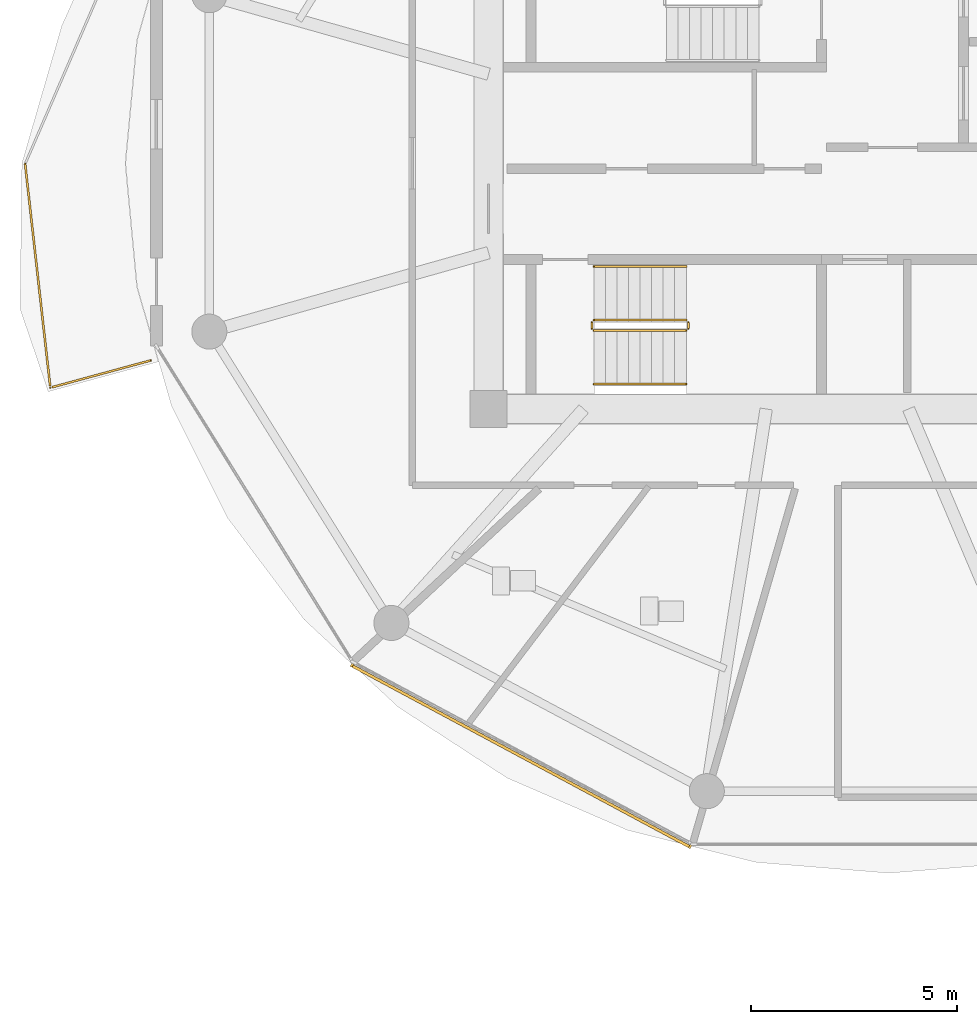
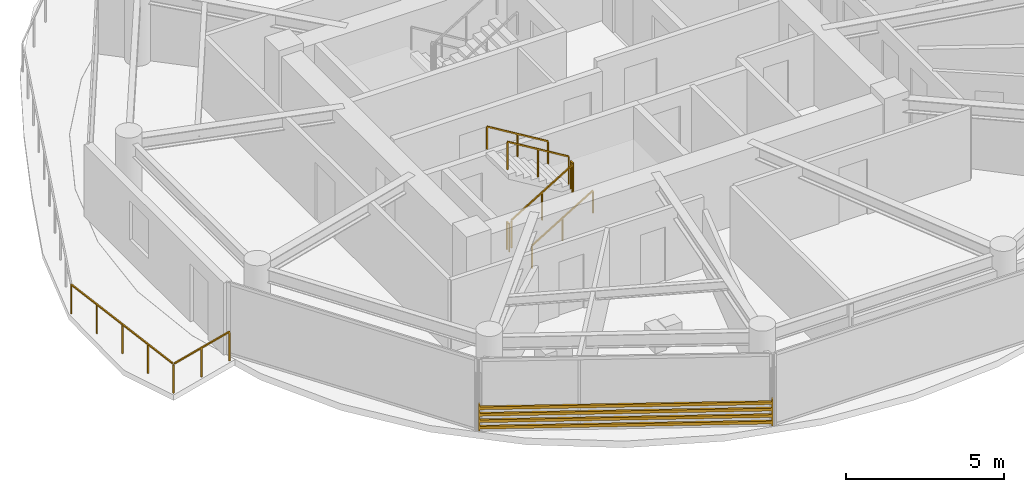
# One storey, part 19 of 25: 7 railings, 1 shading device.
"""IFC4 building model written with IfcOpenShell, lengths in metres."""

from ifc_helpers import new_model, si_unit, direction, frame, origin, origin_2d, place, context, subcontext, project, spatial, rectangle, extrude, source, transform, mapped, material, type_object, type_shapes, element, save


model = new_model("IFC4")

# Units and contexts
model_context = context("Model", 3, precision=1e-05, world=origin(), true_north=direction((0.0, 1.0)))
body_context = subcontext(model_context, "Body", "Model", "MODEL_VIEW")
ifc_project = project(units=[si_unit("LENGTHUNIT", "METRE"), si_unit("AREAUNIT", "SQUARE_METRE"), si_unit("VOLUMEUNIT", "CUBIC_METRE"), si_unit("PLANEANGLEUNIT", "RADIAN"), si_unit("MASSUNIT", "GRAM", prefix="KILO")], contexts=[model_context])

# Site, building, storey
site_placement = place(None, origin())
site = spatial("IfcSite", under=ifc_project, at=site_placement, CompositionType="ELEMENT")
building_placement = place(site_placement, origin())
building = spatial("IfcBuilding", under=site, at=building_placement, Name="Norrkilde Senior Care Towers", CompositionType="ELEMENT")
storey_placement = place(building_placement, frame((0.0, 0.0, 84.050048828125)))
storey = spatial("IfcBuildingStorey", under=building, at=storey_placement, Name="L25", CompositionType="ELEMENT", Elevation=84.050048828125)

# Railings
ifc_material_1 = material(Name="Anodised Aluminium", Category="aluminium")
railing_type_1 = type_object("IfcRailingType", Name="Balcony Swirl Ribbon Guardrail 1150", PredefinedType="GUARDRAIL", material=ifc_material_1)
railing_1_placement = place(storey_placement, frame((-43.8408203125, -4.77490234375, 0.0)))
element("IfcRailing", 1, at=railing_1_placement, inside=storey, type_object=railing_type_1, Name="L25 Perimeter Safety Guard 04", PredefinedType="GUARDRAIL", context=body_context, shape_type="SweptSolid", body=[
    extrude(rectangle(XDim=0.048095703125, YDim=0.048095703125, at=origin_2d()), frame((0.0, 0.0, 1.1259765625), z_axis=(-0.965040655704, -0.262100234334, 0.0), x_axis=(0.262100234334, -0.965040655704, 0.0)), (0.0, 0.0, 1.0), 2.477783203125),
    extrude(rectangle(XDim=0.048095703125, YDim=0.048095703125, at=origin_2d()), frame((-2.435302734375, -0.61962890625, 1.1259765625), z_axis=(-0.111973133734, 0.993711234374, 0.0), x_axis=(-0.993711234374, -0.111973133734, 0.0)), (0.0, 0.0, 1.0), 5.41650390625),
    extrude(rectangle(XDim=0.0419921875, YDim=0.0419921875, at=origin_2d()), origin(), (0.0, 0.0, 1.0), 1.099853515625),
    extrude(rectangle(XDim=0.0419921875, YDim=0.0419921875, at=origin_2d()), frame((-1.21533203125, -0.330078125, 0.0)), (0.0, 0.0, 1.0), 1.099853515625),
    extrude(rectangle(XDim=0.0419921875, YDim=0.0419921875, at=origin_2d()), frame((-2.4306640625, -0.66015625, 0.0)), (0.0, 0.0, 1.0), 1.099853515625),
    extrude(rectangle(XDim=0.0419921875, YDim=0.0419921875, at=origin_2d()), frame((-2.58349609375, 0.695556640625, 0.0)), (0.0, 0.0, 1.0), 1.099853515625),
    extrude(rectangle(XDim=0.0419921875, YDim=0.0419921875, at=origin_2d()), frame((-2.736328125, 2.05126953125, 0.0)), (0.0, 0.0, 1.0), 1.099853515625),
    extrude(rectangle(XDim=0.0419921875, YDim=0.0419921875, at=origin_2d()), frame((-2.888916015625, 3.4072265625, 0.0)), (0.0, 0.0, 1.0), 1.099853515625),
    extrude(rectangle(XDim=0.0419921875, YDim=0.0419921875, at=origin_2d()), frame((-3.041748046875, 4.762939453125, 0.0)), (0.0, 0.0, 1.0), 1.099853515625),
])
ifc_material_2 = material(Name="Stainless Steel", Category="steel")
railing_type_2 = type_object("IfcRailingType", Name="Stair and Terrace Guardrail 1100", PredefinedType="GUARDRAIL", material=ifc_material_2)
railing_2_placement = place(storey_placement, frame((-33.10009765625, -4.050048828125, 0.16943359375)))
element("IfcRailing", 2, at=railing_2_placement, inside=storey, type_object=railing_type_2, Name="L25 ST-W2 stair guard 1", PredefinedType="GUARDRAIL", context=body_context, shape_type="SweptSolid", body=[
    extrude(rectangle(XDim=0.048095703125, YDim=0.048095703125, at=origin_2d()), frame((0.0, 0.0, 1.076171875), z_axis=(0.855553338991, 0.0, 0.51771467445), x_axis=(0.0, 1.0, 0.0)), (0.0, 0.0, 1.0), 2.6181640625),
    extrude(rectangle(XDim=0.0419921875, YDim=0.0419921875, at=origin_2d()), origin(), (0.0, 0.0, 1.0), 1.050048828125),
    extrude(rectangle(XDim=0.0419921875, YDim=0.0419921875, at=origin_2d()), frame((1.1201171875, 0.0, 0.677734375)), (0.0, 0.0, 1.0), 1.050048828125),
    extrude(rectangle(XDim=0.0419921875, YDim=0.0419921875, at=origin_2d()), frame((2.239990234375, 0.0, 1.35546875)), (0.0, 0.0, 1.0), 1.050048828125),
])
railing_3_placement = place(storey_placement, frame((-30.81005859375, -4.0, 1.52490234375)))
element("IfcRailing", 3, at=railing_3_placement, inside=storey, type_object=railing_type_2, Name="L25 ST-W2 stair guard 2", PredefinedType="GUARDRAIL", context=body_context, shape_type="SweptSolid", body=[
    extrude(rectangle(XDim=0.048095703125, YDim=0.048095703125, at=origin_2d()), frame((0.0, 0.0, 1.076171875), z_axis=(0.0, 1.0, 0.0), x_axis=(-1.0, 0.0, 0.0)), (0.0, 0.0, 1.0), 0.14990234375),
    extrude(rectangle(XDim=0.0419921875, YDim=0.0419921875, at=origin_2d()), origin(), (0.0, 0.0, 1.0), 1.050048828125),
    extrude(rectangle(XDim=0.0419921875, YDim=0.0419921875, at=origin_2d()), frame((0.0, 0.14990234375, 0.0)), (0.0, 0.0, 1.0), 1.050048828125),
])
railing_4_placement = place(storey_placement, frame((-30.860107421875, -3.800048828125, 1.6943359375)))
element("IfcRailing", 4, at=railing_4_placement, inside=storey, type_object=railing_type_2, Name="L25 ST-W2 stair guard 3", PredefinedType="GUARDRAIL", context=body_context, shape_type="SweptSolid", body=[
    extrude(rectangle(XDim=0.048095703125, YDim=0.048095703125, at=origin_2d()), frame((0.0, 0.0, 1.076171875), z_axis=(-0.855512035549, 0.0, 0.517782924622), x_axis=(0.0, -1.0, 0.0)), (0.0, 0.0, 1.0), 2.618408203125),
    extrude(rectangle(XDim=0.0419921875, YDim=0.0419921875, at=origin_2d()), origin(), (0.0, 0.0, 1.0), 1.050048828125),
    extrude(rectangle(XDim=0.0419921875, YDim=0.0419921875, at=origin_2d()), frame((-1.1201171875, 0.0, 0.677734375)), (0.0, 0.0, 1.0), 1.050048828125),
    extrude(rectangle(XDim=0.0419921875, YDim=0.0419921875, at=origin_2d()), frame((-2.239990234375, 0.0, 1.355712890625)), (0.0, 0.0, 1.0), 1.050048828125),
])
railing_5_placement = place(storey_placement, frame((-33.14990234375, -4.0, 0.0)))
element("IfcRailing", 5, at=railing_5_placement, inside=storey, type_object=railing_type_2, Name="L25 ST-W2 stair guard 4", PredefinedType="GUARDRAIL", context=body_context, shape_type="SweptSolid", body=[
    extrude(rectangle(XDim=0.048095703125, YDim=0.048095703125, at=origin_2d()), frame((0.0, 0.0, 1.076171875), z_axis=(0.0, 1.0, 0.0), x_axis=(-1.0, 0.0, 0.0)), (0.0, 0.0, 1.0), 0.14990234375),
    extrude(rectangle(XDim=0.0419921875, YDim=0.0419921875, at=origin_2d()), origin(), (0.0, 0.0, 1.0), 1.050048828125),
    extrude(rectangle(XDim=0.0419921875, YDim=0.0419921875, at=origin_2d()), frame((0.0, 0.14990234375, 0.0)), (0.0, 0.0, 1.0), 1.050048828125),
])
ifc_material_3 = material(Name="Nordic Ash Timber", Category="wood")
railing_type_3 = type_object("IfcRailingType", Name="Wall and Stair Handrail 900", PredefinedType="HANDRAIL", material=ifc_material_3)
railing_6_placement = place(storey_placement, frame((-33.10009765625, -5.35009765625, 0.16943359375)))
element("IfcRailing", 6, at=railing_6_placement, inside=storey, type_object=railing_type_3, Name="L25 ST-W2 stair handrail 1", PredefinedType="HANDRAIL", context=body_context, shape_type="SweptSolid", body=[
    extrude(rectangle(XDim=0.048095703125, YDim=0.048095703125, at=origin_2d()), frame((0.0, 0.0, 0.8759765625), z_axis=(0.855553338991, 0.0, 0.51771467445), x_axis=(0.0, 1.0, 0.0)), (0.0, 0.0, 1.0), 2.6181640625),
    extrude(rectangle(XDim=0.0419921875, YDim=0.0419921875, at=origin_2d()), origin(), (0.0, 0.0, 1.0), 0.849853515625),
    extrude(rectangle(XDim=0.0419921875, YDim=0.0419921875, at=origin_2d()), frame((1.1201171875, 0.0, 0.677734375)), (0.0, 0.0, 1.0), 0.849853515625),
    extrude(rectangle(XDim=0.0419921875, YDim=0.0419921875, at=origin_2d()), frame((2.239990234375, 0.0, 1.35546875)), (0.0, 0.0, 1.0), 0.849853515625),
])
railing_7_placement = place(storey_placement, frame((-30.860107421875, -2.5, 1.6943359375)))
element("IfcRailing", 7, at=railing_7_placement, inside=storey, type_object=railing_type_3, Name="L25 ST-W2 stair handrail 2", PredefinedType="HANDRAIL", context=body_context, shape_type="SweptSolid", body=[
    extrude(rectangle(XDim=0.048095703125, YDim=0.048095703125, at=origin_2d()), frame((0.0, 0.0, 0.8759765625), z_axis=(-0.855512035549, 0.0, 0.517782924622), x_axis=(0.0, -1.0, 0.0)), (0.0, 0.0, 1.0), 2.618408203125),
    extrude(rectangle(XDim=0.0419921875, YDim=0.0419921875, at=origin_2d()), origin(), (0.0, 0.0, 1.0), 0.849853515625),
    extrude(rectangle(XDim=0.0419921875, YDim=0.0419921875, at=origin_2d()), frame((-1.1201171875, 0.0, 0.677734375)), (0.0, 0.0, 1.0), 0.849853515625),
    extrude(rectangle(XDim=0.0419921875, YDim=0.0419921875, at=origin_2d()), frame((-2.239990234375, 0.0, 1.355712890625)), (0.0, 0.0, 1.0), 0.849853515625),
])

# Shading device
ifc_material_4 = material(Name="Architectural Terracotta", Category="masonry")
shading_device_type = type_object("IfcShadingDeviceType", Name="Horizontal Terracotta Baguette Rack", PredefinedType="USERDEFINED", material=ifc_material_4)
shared_shape = source(origin(), body_context, "Body", "SweptSolid", [
    extrude(rectangle(XDim=0.070068359375, YDim=0.110107421875, at=origin_2d()), frame((0.0, 0.090087890625, 0.125), z_axis=(1.0, 0.0, 0.0), x_axis=(0.0, 1.0, 0.0)), (0.0, 0.0, 1.0), 9.3505859375),
    extrude(rectangle(XDim=0.070068359375, YDim=0.110107421875, at=origin_2d()), frame((0.0, 0.090087890625, 0.375), z_axis=(1.0, 0.0, 0.0), x_axis=(0.0, 1.0, 0.0)), (0.0, 0.0, 1.0), 9.3505859375),
    extrude(rectangle(XDim=0.070068359375, YDim=0.110107421875, at=origin_2d()), frame((0.0, 0.090087890625, 0.625), z_axis=(1.0, 0.0, 0.0), x_axis=(0.0, 1.0, 0.0)), (0.0, 0.0, 1.0), 9.3505859375),
    extrude(rectangle(XDim=0.070068359375, YDim=0.110107421875, at=origin_2d()), frame((0.0, 0.090087890625, 0.875), z_axis=(1.0, 0.0, 0.0), x_axis=(0.0, 1.0, 0.0)), (0.0, 0.0, 1.0), 9.3505859375),
    extrude(rectangle(XDim=0.050048828125, YDim=0.1552734375, at=origin_2d()), frame((0.02490234375, 0.047607421875, 0.0)), (0.0, 0.0, 1.0), 1.0),
    extrude(rectangle(XDim=0.050048828125, YDim=0.1552734375, at=origin_2d()), frame((9.32568359375, 0.047607421875, 0.0)), (0.0, 0.0, 1.0), 1.0),
])
type_shapes(shading_device_type, [shared_shape])
shading_device_placement = place(storey_placement, frame((-30.70703125, -16.498046875, 0.079833984375), z_axis=(0.0, 0.0, 1.0), x_axis=(-0.881174934726, 0.472767624021, 0.0)))
element("IfcShadingDevice", 8, at=shading_device_placement, inside=storey, type_object=shading_device_type, Name="L25 Drum W Terracotta Baguette Screen 07", ObjectType="BAGUETTE", PredefinedType="USERDEFINED", context=body_context, shape_type="MappedRepresentation", body=[
    mapped(shared_shape, transform((0.0, 0.0, 0.0), x_axis=(1.0, 0.0, 0.0), y_axis=(0.0, 1.0, 0.0), z_axis=(0.0, 0.0, 1.0), scale=1.0)),
])

save(model, "model.ifc")
